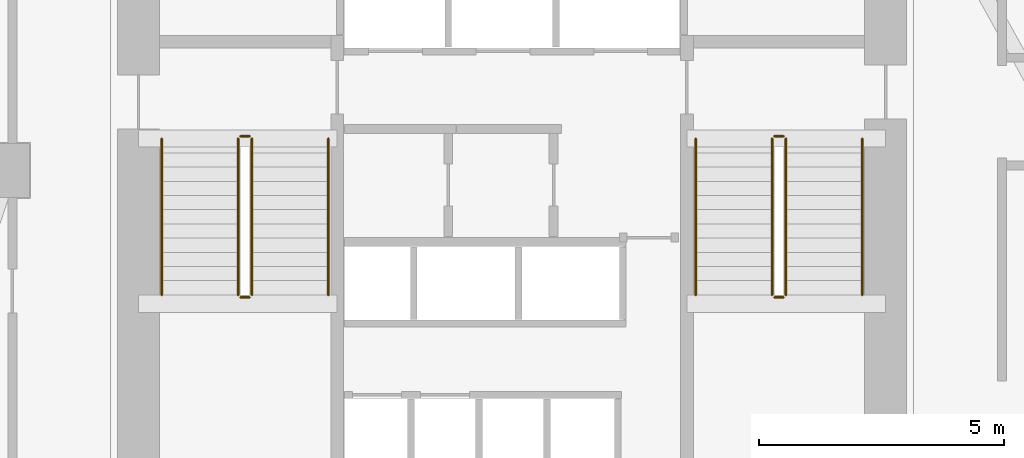
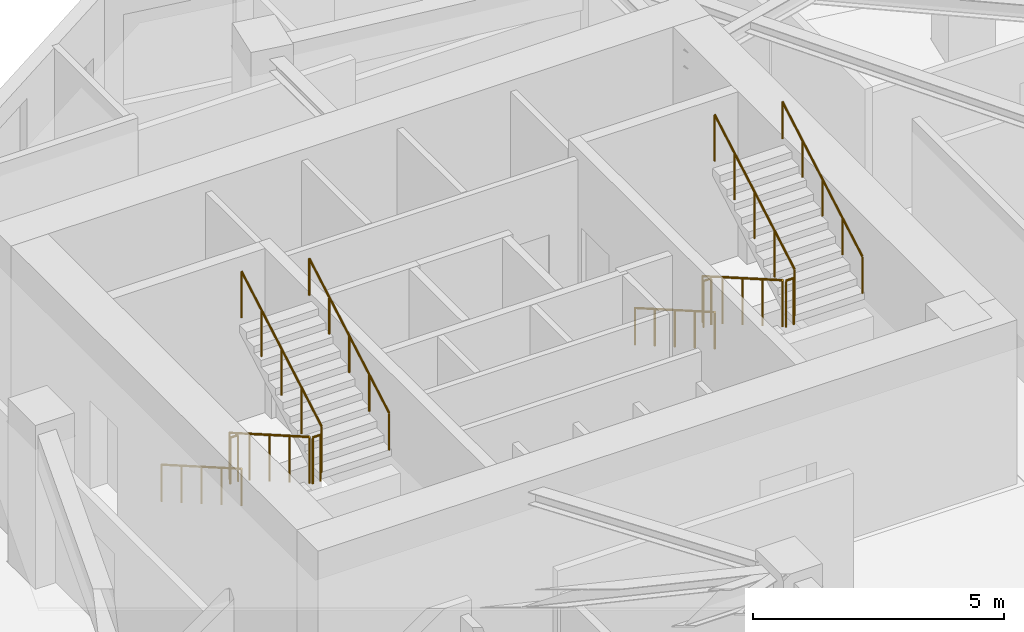
# One storey, part 11 of 11: 12 railings.
"""IFC4 building model written with IfcOpenShell, lengths in metres."""

from ifc_helpers import new_model, si_unit, direction, frame, origin, origin_2d, place, context, subcontext, project, spatial, circle, extrude, material, type_object, element, save


model = new_model("IFC4")

# Units and contexts
model_context = context("Model", 3, precision=1e-05, world=origin(), true_north=direction((0.0, 1.0)))
body_context = subcontext(model_context, "Body", "Model", "MODEL_VIEW")
ifc_project = project(units=[si_unit("LENGTHUNIT", "METRE"), si_unit("AREAUNIT", "SQUARE_METRE"), si_unit("VOLUMEUNIT", "CUBIC_METRE"), si_unit("PLANEANGLEUNIT", "RADIAN"), si_unit("MASSUNIT", "GRAM", prefix="KILO")], contexts=[model_context])

# Site, building, storey
site_placement = place(None, origin())
site = spatial("IfcSite", under=ifc_project, at=site_placement, CompositionType="ELEMENT")
building_placement = place(site_placement, origin())
building = spatial("IfcBuilding", under=site, at=building_placement, Name="Calvemar Wedge Station Tower", CompositionType="ELEMENT")
storey_placement = place(building_placement, frame((0.0, 0.0, 47.0)))
storey = spatial("IfcBuildingStorey", under=building, at=storey_placement, Name="L11", CompositionType="ELEMENT", Elevation=47.0)

# Railings
ifc_material_1 = material(Name="Stainless steel AISI 316L", Category="steel")
railing_type_1 = type_object("IfcRailingType", Name="RL-HANDRAIL-920", PredefinedType="HANDRAIL", material=ifc_material_1)
railing_1_placement = place(storey_placement, frame((16.64990234375, 41.14990234375, 0.166748046875)))
element("IfcRailing", 1, at=railing_1_placement, inside=storey, type_object=railing_type_1, Name="L11 ST-C1 stair handrail 1", PredefinedType="HANDRAIL", context=body_context, shape_type="SweptSolid", body=[
    extrude(circle(Radius=0.02392578125, at=origin_2d()), frame((0.0, 0.0, 0.89599609375), z_axis=(0.0, -0.867019545617, 0.498274128887), x_axis=(1.0, 0.0, 0.0)), (0.0, 0.0, 1.0), 3.67919921875),
    extrude(circle(Radius=0.02099609375, at=origin_2d()), origin(), (0.0, 0.0, 1.0), 0.871826171875),
    extrude(circle(Radius=0.02099609375, at=origin_2d()), frame((0.0, -0.79736328125, 0.458251953125)), (0.0, 0.0, 1.0), 0.871826171875),
    extrude(circle(Radius=0.02099609375, at=origin_2d()), frame((0.0, -1.594970703125, 0.91650390625)), (0.0, 0.0, 1.0), 0.871826171875),
    extrude(circle(Radius=0.02099609375, at=origin_2d()), frame((0.0, -2.392578125, 1.375)), (0.0, 0.0, 1.0), 0.871826171875),
    extrude(circle(Radius=0.02099609375, at=origin_2d()), frame((0.0, -3.18994140625, 1.833251953125)), (0.0, 0.0, 1.0), 0.871826171875),
])
railing_2_placement = place(storey_placement, frame((20.050048828125, 37.9599609375, 2.166748046875)))
element("IfcRailing", 2, at=railing_2_placement, inside=storey, type_object=railing_type_1, Name="L11 ST-C1 stair handrail 2", PredefinedType="HANDRAIL", context=body_context, shape_type="SweptSolid", body=[
    extrude(circle(Radius=0.02392578125, at=origin_2d()), frame((0.0, 0.0, 0.89599609375), z_axis=(0.0, 0.867019545617, 0.498274128887), x_axis=(-1.0, 0.0, 0.0)), (0.0, 0.0, 1.0), 3.67919921875),
    extrude(circle(Radius=0.02099609375, at=origin_2d()), origin(), (0.0, 0.0, 1.0), 0.871826171875),
    extrude(circle(Radius=0.02099609375, at=origin_2d()), frame((0.0, 0.79736328125, 0.458251953125)), (0.0, 0.0, 1.0), 0.871826171875),
    extrude(circle(Radius=0.02099609375, at=origin_2d()), frame((0.0, 1.594970703125, 0.91650390625)), (0.0, 0.0, 1.0), 0.871826171875),
    extrude(circle(Radius=0.02099609375, at=origin_2d()), frame((0.0, 2.392578125, 1.375)), (0.0, 0.0, 1.0), 0.871826171875),
    extrude(circle(Radius=0.02099609375, at=origin_2d()), frame((0.0, 3.18994140625, 1.833251953125)), (0.0, 0.0, 1.0), 0.871826171875),
])
railing_3_placement = place(storey_placement, frame((27.550048828125, 41.14990234375, 0.166748046875)))
element("IfcRailing", 3, at=railing_3_placement, inside=storey, type_object=railing_type_1, Name="L11 ST-C2 stair handrail 1", PredefinedType="HANDRAIL", context=body_context, shape_type="SweptSolid", body=[
    extrude(circle(Radius=0.02392578125, at=origin_2d()), frame((0.0, 0.0, 0.89599609375), z_axis=(0.0, -0.867019545617, 0.498274128887), x_axis=(1.0, 0.0, 0.0)), (0.0, 0.0, 1.0), 3.67919921875),
    extrude(circle(Radius=0.02099609375, at=origin_2d()), origin(), (0.0, 0.0, 1.0), 0.871826171875),
    extrude(circle(Radius=0.02099609375, at=origin_2d()), frame((0.0, -0.79736328125, 0.458251953125)), (0.0, 0.0, 1.0), 0.871826171875),
    extrude(circle(Radius=0.02099609375, at=origin_2d()), frame((0.0, -1.594970703125, 0.91650390625)), (0.0, 0.0, 1.0), 0.871826171875),
    extrude(circle(Radius=0.02099609375, at=origin_2d()), frame((0.0, -2.392578125, 1.375)), (0.0, 0.0, 1.0), 0.871826171875),
    extrude(circle(Radius=0.02099609375, at=origin_2d()), frame((0.0, -3.18994140625, 1.833251953125)), (0.0, 0.0, 1.0), 0.871826171875),
])
railing_4_placement = place(storey_placement, frame((30.949951171875, 37.9599609375, 2.166748046875)))
element("IfcRailing", 4, at=railing_4_placement, inside=storey, type_object=railing_type_1, Name="L11 ST-C2 stair handrail 2", PredefinedType="HANDRAIL", context=body_context, shape_type="SweptSolid", body=[
    extrude(circle(Radius=0.02392578125, at=origin_2d()), frame((0.0, 0.0, 0.89599609375), z_axis=(0.0, 0.867019545617, 0.498274128887), x_axis=(-1.0, 0.0, 0.0)), (0.0, 0.0, 1.0), 3.67919921875),
    extrude(circle(Radius=0.02099609375, at=origin_2d()), origin(), (0.0, 0.0, 1.0), 0.871826171875),
    extrude(circle(Radius=0.02099609375, at=origin_2d()), frame((0.0, 0.79736328125, 0.458251953125)), (0.0, 0.0, 1.0), 0.871826171875),
    extrude(circle(Radius=0.02099609375, at=origin_2d()), frame((0.0, 1.594970703125, 0.91650390625)), (0.0, 0.0, 1.0), 0.871826171875),
    extrude(circle(Radius=0.02099609375, at=origin_2d()), frame((0.0, 2.392578125, 1.375)), (0.0, 0.0, 1.0), 0.871826171875),
    extrude(circle(Radius=0.02099609375, at=origin_2d()), frame((0.0, 3.18994140625, 1.833251953125)), (0.0, 0.0, 1.0), 0.871826171875),
])
ifc_material_2 = material(Name="Painted steel guardrail ASTM A500 Grade C", Category="steel")
railing_type_2 = type_object("IfcRailingType", Name="RL-STAIR-GUARD-1150", PredefinedType="GUARDRAIL", material=ifc_material_2)
railing_5_placement = place(storey_placement, frame((18.2099609375, 41.14990234375, 0.166748046875)))
element("IfcRailing", 5, at=railing_5_placement, inside=storey, type_object=railing_type_2, Name="L11 ST-C1 stair guard 1", PredefinedType="GUARDRAIL", context=body_context, shape_type="SweptSolid", body=[
    extrude(circle(Radius=0.02392578125, at=origin_2d()), frame((0.0, 0.0, 1.1259765625), z_axis=(0.0, -0.867019545617, 0.498274128887), x_axis=(1.0, 0.0, 0.0)), (0.0, 0.0, 1.0), 3.67919921875),
    extrude(circle(Radius=0.02099609375, at=origin_2d()), origin(), (0.0, 0.0, 1.0), 1.101806640625),
    extrude(circle(Radius=0.02099609375, at=origin_2d()), frame((0.0, -0.79736328125, 0.458251953125)), (0.0, 0.0, 1.0), 1.101806640625),
    extrude(circle(Radius=0.02099609375, at=origin_2d()), frame((0.0, -1.594970703125, 0.91650390625)), (0.0, 0.0, 1.0), 1.101806640625),
    extrude(circle(Radius=0.02099609375, at=origin_2d()), frame((0.0, -2.392578125, 1.375)), (0.0, 0.0, 1.0), 1.101806640625),
    extrude(circle(Radius=0.02099609375, at=origin_2d()), frame((0.0, -3.18994140625, 1.833251953125)), (0.0, 0.0, 1.0), 1.101806640625),
])
railing_6_placement = place(storey_placement, frame((18.260009765625, 37.909912109375, 2.0)))
element("IfcRailing", 6, at=railing_6_placement, inside=storey, type_object=railing_type_2, Name="L11 ST-C1 stair guard 2", PredefinedType="GUARDRAIL", context=body_context, shape_type="SweptSolid", body=[
    extrude(circle(Radius=0.02392578125, at=origin_2d()), frame((0.0, 0.0, 1.1259765625), z_axis=(1.0, 0.0, 0.0), x_axis=(0.0, 1.0, 0.0)), (0.0, 0.0, 1.0), 0.179931640625),
    extrude(circle(Radius=0.02099609375, at=origin_2d()), origin(), (0.0, 0.0, 1.0), 1.101806640625),
    extrude(circle(Radius=0.02099609375, at=origin_2d()), frame((0.179931640625, 0.0, 0.0)), (0.0, 0.0, 1.0), 1.101806640625),
])
railing_7_placement = place(storey_placement, frame((18.489990234375, 37.9599609375, 2.166748046875)))
element("IfcRailing", 7, at=railing_7_placement, inside=storey, type_object=railing_type_2, Name="L11 ST-C1 stair guard 3", PredefinedType="GUARDRAIL", context=body_context, shape_type="SweptSolid", body=[
    extrude(circle(Radius=0.02392578125, at=origin_2d()), frame((0.0, 0.0, 1.1259765625), z_axis=(0.0, 0.867019545617, 0.498274128887), x_axis=(-1.0, 0.0, 0.0)), (0.0, 0.0, 1.0), 3.67919921875),
    extrude(circle(Radius=0.02099609375, at=origin_2d()), origin(), (0.0, 0.0, 1.0), 1.101806640625),
    extrude(circle(Radius=0.02099609375, at=origin_2d()), frame((0.0, 0.79736328125, 0.458251953125)), (0.0, 0.0, 1.0), 1.101806640625),
    extrude(circle(Radius=0.02099609375, at=origin_2d()), frame((0.0, 1.594970703125, 0.91650390625)), (0.0, 0.0, 1.0), 1.101806640625),
    extrude(circle(Radius=0.02099609375, at=origin_2d()), frame((0.0, 2.392578125, 1.375)), (0.0, 0.0, 1.0), 1.101806640625),
    extrude(circle(Radius=0.02099609375, at=origin_2d()), frame((0.0, 3.18994140625, 1.833251953125)), (0.0, 0.0, 1.0), 1.101806640625),
])
railing_8_placement = place(storey_placement, frame((18.260009765625, 41.199951171875, 0.0)))
element("IfcRailing", 8, at=railing_8_placement, inside=storey, type_object=railing_type_2, Name="L11 ST-C1 stair guard 4", PredefinedType="GUARDRAIL", context=body_context, shape_type="SweptSolid", body=[
    extrude(circle(Radius=0.02392578125, at=origin_2d()), frame((0.0, 0.0, 1.1259765625), z_axis=(1.0, 0.0, 0.0), x_axis=(0.0, 1.0, 0.0)), (0.0, 0.0, 1.0), 0.179931640625),
    extrude(circle(Radius=0.02099609375, at=origin_2d()), origin(), (0.0, 0.0, 1.0), 1.101806640625),
    extrude(circle(Radius=0.02099609375, at=origin_2d()), frame((0.179931640625, 0.0, 0.0)), (0.0, 0.0, 1.0), 1.101806640625),
])
railing_9_placement = place(storey_placement, frame((29.110107421875, 41.14990234375, 0.166748046875)))
element("IfcRailing", 9, at=railing_9_placement, inside=storey, type_object=railing_type_2, Name="L11 ST-C2 stair guard 1", PredefinedType="GUARDRAIL", context=body_context, shape_type="SweptSolid", body=[
    extrude(circle(Radius=0.02392578125, at=origin_2d()), frame((0.0, 0.0, 1.1259765625), z_axis=(0.0, -0.867019545617, 0.498274128887), x_axis=(1.0, 0.0, 0.0)), (0.0, 0.0, 1.0), 3.67919921875),
    extrude(circle(Radius=0.02099609375, at=origin_2d()), origin(), (0.0, 0.0, 1.0), 1.101806640625),
    extrude(circle(Radius=0.02099609375, at=origin_2d()), frame((0.0, -0.79736328125, 0.458251953125)), (0.0, 0.0, 1.0), 1.101806640625),
    extrude(circle(Radius=0.02099609375, at=origin_2d()), frame((0.0, -1.594970703125, 0.91650390625)), (0.0, 0.0, 1.0), 1.101806640625),
    extrude(circle(Radius=0.02099609375, at=origin_2d()), frame((0.0, -2.392578125, 1.375)), (0.0, 0.0, 1.0), 1.101806640625),
    extrude(circle(Radius=0.02099609375, at=origin_2d()), frame((0.0, -3.18994140625, 1.833251953125)), (0.0, 0.0, 1.0), 1.101806640625),
])
railing_10_placement = place(storey_placement, frame((29.159912109375, 37.909912109375, 2.0)))
element("IfcRailing", 10, at=railing_10_placement, inside=storey, type_object=railing_type_2, Name="L11 ST-C2 stair guard 2", PredefinedType="GUARDRAIL", context=body_context, shape_type="SweptSolid", body=[
    extrude(circle(Radius=0.02392578125, at=origin_2d()), frame((0.0, 0.0, 1.1259765625), z_axis=(1.0, 0.0, 0.0), x_axis=(0.0, 1.0, 0.0)), (0.0, 0.0, 1.0), 0.18017578125),
    extrude(circle(Radius=0.02099609375, at=origin_2d()), origin(), (0.0, 0.0, 1.0), 1.101806640625),
    extrude(circle(Radius=0.02099609375, at=origin_2d()), frame((0.18017578125, 0.0, 0.0)), (0.0, 0.0, 1.0), 1.101806640625),
])
railing_11_placement = place(storey_placement, frame((29.389892578125, 37.9599609375, 2.166748046875)))
element("IfcRailing", 11, at=railing_11_placement, inside=storey, type_object=railing_type_2, Name="L11 ST-C2 stair guard 3", PredefinedType="GUARDRAIL", context=body_context, shape_type="SweptSolid", body=[
    extrude(circle(Radius=0.02392578125, at=origin_2d()), frame((0.0, 0.0, 1.1259765625), z_axis=(0.0, 0.867019545617, 0.498274128887), x_axis=(-1.0, 0.0, 0.0)), (0.0, 0.0, 1.0), 3.67919921875),
    extrude(circle(Radius=0.02099609375, at=origin_2d()), origin(), (0.0, 0.0, 1.0), 1.101806640625),
    extrude(circle(Radius=0.02099609375, at=origin_2d()), frame((0.0, 0.79736328125, 0.458251953125)), (0.0, 0.0, 1.0), 1.101806640625),
    extrude(circle(Radius=0.02099609375, at=origin_2d()), frame((0.0, 1.594970703125, 0.91650390625)), (0.0, 0.0, 1.0), 1.101806640625),
    extrude(circle(Radius=0.02099609375, at=origin_2d()), frame((0.0, 2.392578125, 1.375)), (0.0, 0.0, 1.0), 1.101806640625),
    extrude(circle(Radius=0.02099609375, at=origin_2d()), frame((0.0, 3.18994140625, 1.833251953125)), (0.0, 0.0, 1.0), 1.101806640625),
])
railing_12_placement = place(storey_placement, frame((29.159912109375, 41.199951171875, 0.0)))
element("IfcRailing", 12, at=railing_12_placement, inside=storey, type_object=railing_type_2, Name="L11 ST-C2 stair guard 4", PredefinedType="GUARDRAIL", context=body_context, shape_type="SweptSolid", body=[
    extrude(circle(Radius=0.02392578125, at=origin_2d()), frame((0.0, 0.0, 1.1259765625), z_axis=(1.0, 0.0, 0.0), x_axis=(0.0, 1.0, 0.0)), (0.0, 0.0, 1.0), 0.18017578125),
    extrude(circle(Radius=0.02099609375, at=origin_2d()), origin(), (0.0, 0.0, 1.0), 1.101806640625),
    extrude(circle(Radius=0.02099609375, at=origin_2d()), frame((0.18017578125, 0.0, 0.0)), (0.0, 0.0, 1.0), 1.101806640625),
])

save(model, "model.ifc")
